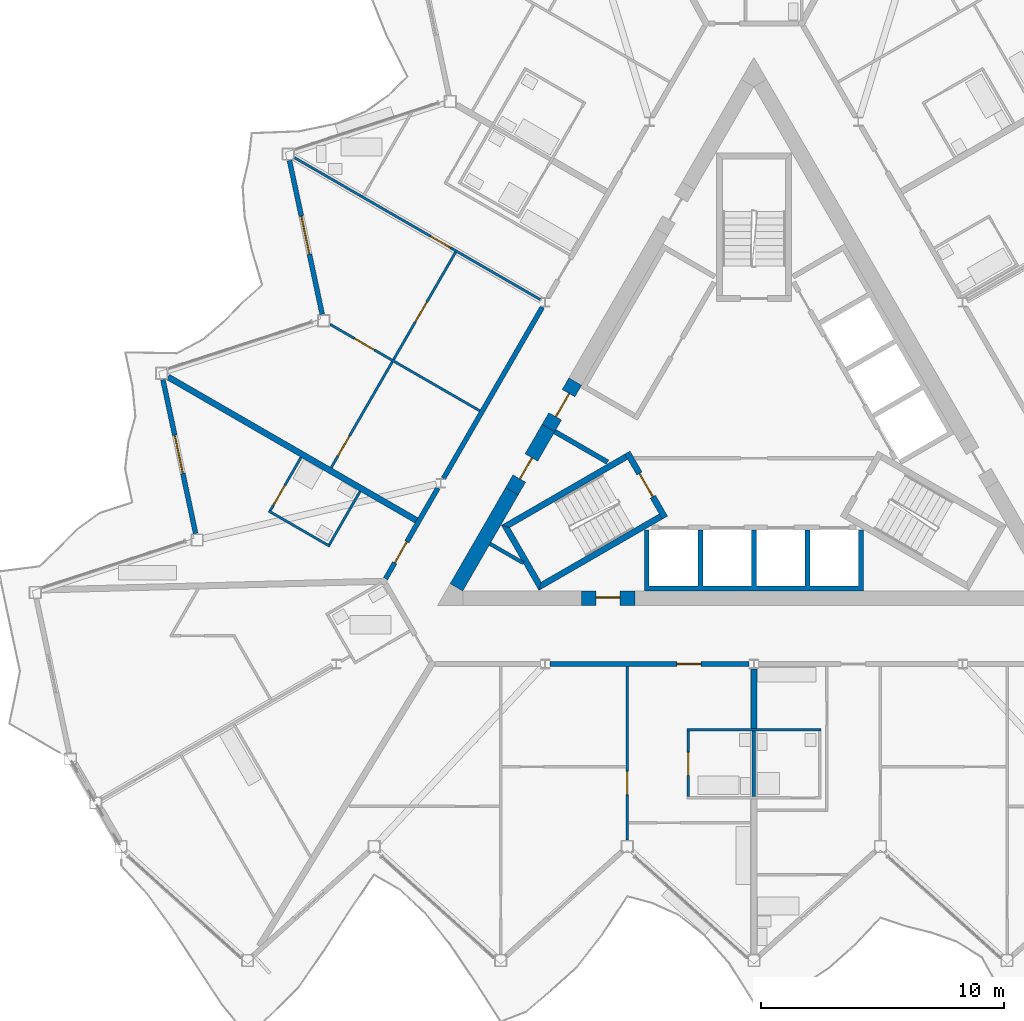
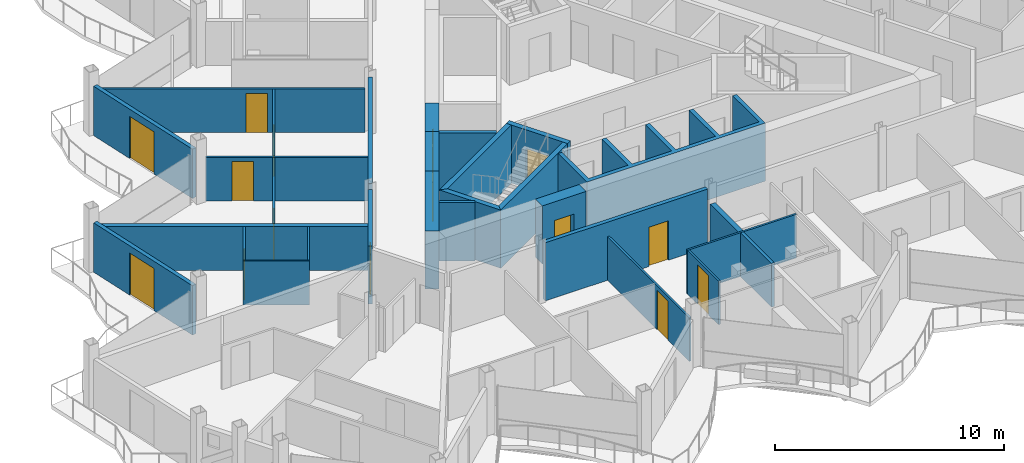
# One storey, part 13 of 26: 28 walls, 15 doors, 15 openings.
"""IFC4 building model written with IfcOpenShell, lengths in metres."""

from ifc_helpers import new_model, si_unit, direction, frame, frame_2d, origin, place, context, subcontext, project, spatial, polyline, rectangle, outline, extrude, material, layer, layer_set, type_object, element, fill, save


model = new_model("IFC4")

# Units and contexts
model_context = context("Model", 3, precision=1e-05, world=origin(), true_north=direction((0.0, 1.0)))
body_context = subcontext(model_context, "Body", "Model", "MODEL_VIEW")
ifc_project = project(units=[si_unit("LENGTHUNIT", "METRE"), si_unit("AREAUNIT", "SQUARE_METRE"), si_unit("VOLUMEUNIT", "CUBIC_METRE"), si_unit("PLANEANGLEUNIT", "RADIAN"), si_unit("MASSUNIT", "GRAM", prefix="KILO")], contexts=[model_context])

# Site, building, storey
site_placement = place(None, origin())
site = spatial("IfcSite", under=ifc_project, at=site_placement, CompositionType="ELEMENT")
building_placement = place(site_placement, origin())
building = spatial("IfcBuilding", under=site, at=building_placement, Name="Cormorant Prow Tower", CompositionType="ELEMENT")
storey_placement = place(building_placement, frame((0.0, 0.0, 401.800048828125)))
storey = spatial("IfcBuildingStorey", under=building, at=storey_placement, Name="L92", CompositionType="ELEMENT", Elevation=401.800048828125)

# Walls
ifc_material_1 = material(Name="Gypsum board partition")
ifc_layer_1 = layer(ifc_material_1, 0.14990234375)
ifc_layer_set_1 = layer_set([ifc_layer_1], Name="Gypsum board partition")
wall_type_1 = type_object("IfcWallType", Name="Core partition 150", PredefinedType="PARTITIONING", material=ifc_layer_set_1)
wall_1_placement = place(storey_placement, frame((-10.841796875, -4.96728515625, 0.0), z_axis=(0.0, 0.0, 1.0), x_axis=(0.866098216386, -0.499873863663, 0.0)))
element("IfcWall", 1, at=wall_1_placement, inside=storey, type_object=wall_type_1, Name="Service room partition", PredefinedType="PARTITIONING", context=body_context, shape_type="SweptSolid", body=[
    extrude(rectangle(XDim=1.58203125, YDim=0.14990234375, at=frame_2d((0.791015625, 0.0))), origin(), (0.0, 0.0, 1.0), 3.099853515625),
])
ifc_material_2 = material(Name="Concrete 8000 psi", Category="concrete")
ifc_layer_2 = layer(ifc_material_2, 0.60009765625)
ifc_layer_set_2 = layer_set([ifc_layer_2], Name="Concrete 8000 psi")
wall_type_2 = type_object("IfcWallType", Name="Core shear wall 600", PredefinedType="SHEAR", material=ifc_layer_set_2)
wall_2_placement = place(storey_placement, frame((-9.94091796875, -2.80712890625, 0.0), z_axis=(0.0, 0.0, 1.0), x_axis=(-0.500020646047, -0.866013483456, 0.0)))
element("IfcWall", 2, at=wall_2_placement, inside=storey, type_object=wall_type_2, Name="Core wall", PredefinedType="SHEAR", context=body_context, shape_type="SweptSolid", body=[
    extrude(rectangle(XDim=4.559326171875, YDim=0.60009765625, at=frame_2d((2.27978515625, 0.0))), origin(), (0.0, 0.0, 1.0), 3.099853515625),
])

# Wall, opening, door
wall_3_placement = place(storey_placement, frame((-7.09228515625, -7.20556640625, 0.0), z_axis=(0.0, 0.0, 1.0), x_axis=(1.0, 0.0, 0.0)))
wall_3 = element("IfcWall", 3, at=wall_3_placement, inside=storey, type_object=wall_type_2, Name="Core wall door panel", PredefinedType="SHEAR", context=body_context, shape_type="SweptSolid", body=[
    extrude(rectangle(XDim=2.2001953125, YDim=0.60009765625, at=frame_2d((1.10009765625, 0.0))), origin(), (0.0, 0.0, 1.0), 3.099853515625),
])
opening_1_placement = place(wall_3_placement, frame((0.60009765625, 0.0, 0.0)))
opening_1 = element("IfcOpeningElement", 4, at=opening_1_placement, cuts=wall_3, Name="Opening L92-C14", PredefinedType="OPENING", context=body_context, shape_type="SweptSolid", body=[
    extrude(rectangle(XDim=1.0, YDim=2.10009765625, at=frame_2d((0.5, 1.050048828125))), frame((0.0, 0.31005859375, 0.0), z_axis=(0.0, -1.0, 0.0), x_axis=(1.0, 0.0, 0.0)), (0.0, 0.0, 1.0), 0.6201171875),
])
ifc_material_3 = material(Name="Painted steel", Category="steel")
door_type_1 = type_object("IfcDoorType", Name="Service door 1000x2100", OperationType="NOTDEFINED", PredefinedType="DOOR", material=ifc_material_3)
door_1_placement = place(opening_1_placement, origin())
door_1 = element("IfcDoor", 5, at=door_1_placement, inside=storey, type_object=door_type_1, Name="Core door, Housekeeping store", OperationType="SINGLE_SWING_LEFT", OverallHeight=2.10009765625, OverallWidth=1.0, PredefinedType="DOOR", context=body_context, shape_type="SweptSolid", body=[
    extrude(rectangle(XDim=1.0, YDim=2.10009765625, at=frame_2d((0.5, 1.050048828125))), frame((0.0, 0.05517578125, 0.0), z_axis=(0.0, -1.0, 0.0), x_axis=(1.0, 0.0, 0.0)), (0.0, 0.0, 1.0), 0.050048828125),
])
fill(opening_1, door_1)

wall_4_placement = place(storey_placement, frame((-8.440185546875, -0.207763671875, 0.0), z_axis=(0.0, 0.0, 1.0), x_axis=(-0.499997052475, -0.866027105532, 0.0)))
wall_4 = element("IfcWall", 6, at=wall_4_placement, inside=storey, type_object=wall_type_2, Name="Core wall door panel", PredefinedType="SHEAR", context=body_context, shape_type="SweptSolid", body=[
    extrude(rectangle(XDim=3.00146484375, YDim=0.60009765625, at=frame_2d((1.500732421875, 0.0))), origin(), (0.0, 0.0, 1.0), 3.099853515625),
])
opening_2_placement = place(wall_4_placement, frame((1.39990234375, 0.0, 0.0)))
opening_2 = element("IfcOpeningElement", 7, at=opening_2_placement, cuts=wall_4, Name="Opening L92-C16", PredefinedType="OPENING", context=body_context, shape_type="SweptSolid", body=[
    extrude(rectangle(XDim=1.0, YDim=2.10009765625, at=frame_2d((0.5, 1.050048828125))), frame((0.0, 0.31005859375, 0.0), z_axis=(0.0, -1.0, 0.0), x_axis=(1.0, 0.0, 0.0)), (0.0, 0.0, 1.0), 0.6201171875),
])
door_2_placement = place(opening_2_placement, origin())
door_2 = element("IfcDoor", 8, at=door_2_placement, inside=storey, type_object=door_type_1, Name="Core door, Linen store", OperationType="SINGLE_SWING_RIGHT", OverallHeight=2.10009765625, OverallWidth=1.0, PredefinedType="DOOR", context=body_context, shape_type="SweptSolid", body=[
    extrude(rectangle(XDim=1.0, YDim=2.10009765625, at=frame_2d((0.5, 1.050048828125))), frame((0.0, 0.05517578125, 0.0), z_axis=(0.0, -1.0, 0.0), x_axis=(1.0, 0.0, 0.0)), (0.0, 0.0, 1.0), 0.050048828125),
])
fill(opening_2, door_2)

wall_5_placement = place(storey_placement, frame((-7.340087890625, 1.697509765625, 0.0), z_axis=(0.0, 0.0, 1.0), x_axis=(-0.50002983664, -0.866008176907, 0.0)))
wall_5 = element("IfcWall", 9, at=wall_5_placement, inside=storey, type_object=wall_type_2, Name="Core wall door panel", PredefinedType="SHEAR", context=body_context, shape_type="SweptSolid", body=[
    extrude(rectangle(XDim=2.199951171875, YDim=0.60009765625, at=frame_2d((1.10009765625, 0.0))), origin(), (0.0, 0.0, 1.0), 3.099853515625),
])
opening_3_placement = place(wall_5_placement, frame((0.550048828125, 0.0, 0.0)))
opening_3 = element("IfcOpeningElement", 10, at=opening_3_placement, cuts=wall_5, Name="Opening L92-C18", PredefinedType="OPENING", context=body_context, shape_type="SweptSolid", body=[
    extrude(rectangle(XDim=1.10009765625, YDim=2.10009765625, at=frame_2d((0.550048828125, 1.050048828125))), frame((0.0, 0.31005859375, 0.0), z_axis=(0.0, -1.0, 0.0), x_axis=(1.0, 0.0, 0.0)), (0.0, 0.0, 1.0), 0.6201171875),
])
ifc_material_4 = material(Name="Painted steel", Category="steel")
door_type_2 = type_object("IfcDoorType", Name="Core door 1100x2100", OperationType="NOTDEFINED", PredefinedType="DOOR", material=ifc_material_4)
door_3_placement = place(opening_3_placement, origin())
door_3 = element("IfcDoor", 11, at=door_3_placement, inside=storey, type_object=door_type_2, Name="Core door, lift lobby", OperationType="SINGLE_SWING_RIGHT", OverallHeight=2.10009765625, OverallWidth=1.10009765625, PredefinedType="DOOR", context=body_context, shape_type="SweptSolid", body=[
    extrude(rectangle(XDim=1.10009765625, YDim=2.10009765625, at=frame_2d((0.550048828125, 1.050048828125))), frame((0.0, 0.05517578125, 0.0), z_axis=(0.0, -1.0, 0.0), x_axis=(1.0, 0.0, 0.0)), (0.0, 0.0, 1.0), 0.050048828125),
])
fill(opening_3, door_3)

ifc_material_5 = material(Name="Gypsum board corridor wall")
ifc_layer_3 = layer(ifc_material_5, 0.199951171875)
ifc_layer_set_3 = layer_set([ifc_layer_3], Name="Gypsum board corridor wall")
wall_type_3 = type_object("IfcWallType", Name="Corridor wall 200", PredefinedType="PARTITIONING", material=ifc_layer_set_3)
wall_6_placement = place(storey_placement, frame((-8.381591796875, -9.905517578125, 0.0), z_axis=(0.0, 0.0, 1.0), x_axis=(1.0, 0.0, 0.0)))
wall_6 = element("IfcWall", 12, at=wall_6_placement, inside=storey, type_object=wall_type_3, Name="Corridor wall", PredefinedType="PARTITIONING", context=body_context, shape_type="SweptSolid", body=[
    extrude(rectangle(XDim=8.1845703125, YDim=0.199951171875, at=frame_2d((4.09228515625, 0.0))), origin(), (0.0, 0.0, 1.0), 3.099853515625),
])
opening_4_placement = place(wall_6_placement, frame((5.212646484375, 0.0, 0.0)))
opening_4 = element("IfcOpeningElement", 13, at=opening_4_placement, cuts=wall_6, Name="Opening L92-F01", PredefinedType="OPENING", context=body_context, shape_type="SweptSolid", body=[
    extrude(rectangle(XDim=1.0, YDim=2.10009765625, at=frame_2d((0.5, 1.050048828125))), frame((0.0, 0.10986328125, 0.0), z_axis=(0.0, -1.0, 0.0), x_axis=(1.0, 0.0, 0.0)), (0.0, 0.0, 1.0), 0.219970703125),
])
ifc_material_6 = material(Name="Timber door leaf", Category="wood")
door_type_3 = type_object("IfcDoorType", Name="Flat or room entrance door 1000x2100", OperationType="NOTDEFINED", PredefinedType="DOOR", material=ifc_material_6)
door_4_placement = place(opening_4_placement, origin())
door_4 = element("IfcDoor", 14, at=door_4_placement, inside=storey, type_object=door_type_3, Name="Living room door", OperationType="SINGLE_SWING_RIGHT", OverallHeight=2.10009765625, OverallWidth=1.0, PredefinedType="DOOR", context=body_context, shape_type="SweptSolid", body=[
    extrude(rectangle(XDim=1.0, YDim=2.10009765625, at=frame_2d((0.5, 1.050048828125))), frame((0.0, 0.02490234375, 0.0), z_axis=(0.0, -1.0, 0.0), x_axis=(1.0, 0.0, 0.0)), (0.0, 0.0, 1.0), 0.050048828125),
])
fill(opening_4, door_4)

# Wall
wall_7_placement = place(storey_placement, frame((-12.75390625, -2.279296875, 0.0), z_axis=(0.0, 0.0, 1.0), x_axis=(0.500001682468, 0.866024432409, 0.0)))
element("IfcWall", 15, at=wall_7_placement, inside=storey, type_object=wall_type_3, Name="Corridor wall", PredefinedType="PARTITIONING", context=body_context, shape_type="SweptSolid", body=[
    extrude(rectangle(XDim=8.12353515625, YDim=0.199951171875, at=frame_2d((4.061767578125, 0.0))), origin(), (0.0, 0.0, 1.0), 3.099853515625),
])

# Wall, opening, door
wall_8_placement = place(storey_placement, frame((-15.13134765625, -6.397216796875, 0.0), z_axis=(0.0, 0.0, 1.0), x_axis=(0.499986217557, 0.866033360935, 0.0)))
wall_8 = element("IfcWall", 16, at=wall_8_placement, inside=storey, type_object=wall_type_3, Name="Corridor wall", PredefinedType="PARTITIONING", context=body_context, shape_type="SweptSolid", body=[
    extrude(rectangle(XDim=4.2998046875, YDim=0.199951171875, at=frame_2d((2.14990234375, 0.0))), origin(), (0.0, 0.0, 1.0), 3.099853515625),
])
opening_5_placement = place(wall_8_placement, frame((0.75, 0.0, 0.0)))
opening_5 = element("IfcOpeningElement", 17, at=opening_5_placement, cuts=wall_8, Name="Opening L92-F52", PredefinedType="OPENING", context=body_context, shape_type="SweptSolid", body=[
    extrude(rectangle(XDim=1.0, YDim=2.10009765625, at=frame_2d((0.5, 1.050048828125))), frame((0.0, 0.10986328125, 0.0), z_axis=(0.0, -1.0, 0.0), x_axis=(1.0, 0.0, 0.0)), (0.0, 0.0, 1.0), 0.219970703125),
])
door_5_placement = place(opening_5_placement, origin())
door_5 = element("IfcDoor", 18, at=door_5_placement, inside=storey, type_object=door_type_3, Name="Studio living, kitchen and sleeping room door", OperationType="SINGLE_SWING_RIGHT", OverallHeight=2.10009765625, OverallWidth=1.0, PredefinedType="DOOR", context=body_context, shape_type="SweptSolid", body=[
    extrude(rectangle(XDim=1.0, YDim=2.10009765625, at=frame_2d((0.5, 1.050048828125))), frame((0.0, 0.02490234375, 0.0), z_axis=(0.0, -1.0, 0.0), x_axis=(1.0, 0.0, 0.0)), (0.0, 0.0, 1.0), 0.050048828125),
])
fill(opening_5, door_5)

ifc_material_7 = material(Name="Gypsum board partition")
ifc_layer_4 = layer(ifc_material_7, 0.10009765625)
ifc_layer_set_4 = layer_set([ifc_layer_4], Name="Gypsum board partition")
wall_type_4 = type_object("IfcWallType", Name="Internal partition 100", PredefinedType="PARTITIONING", material=ifc_layer_set_4)
wall_9_placement = place(storey_placement, frame((-18.86865234375, 10.893798828125, 0.0), z_axis=(0.0, 0.0, 1.0), x_axis=(0.866023724155, -0.500002909193, 0.0)))
wall_9 = element("IfcWall", 19, at=wall_9_placement, inside=storey, type_object=wall_type_4, Name="Internal partition", PredefinedType="PARTITIONING", context=body_context, shape_type="SweptSolid", body=[
    extrude(rectangle(XDim=11.65478515625, YDim=0.10009765625, at=frame_2d((5.827392578125, 0.0))), origin(), (0.0, 0.0, 1.0), 2.330078125),
])
opening_6_placement = place(wall_9_placement, frame((6.452880859375, 0.0, 0.0)))
opening_6 = element("IfcOpeningElement", 20, at=opening_6_placement, cuts=wall_9, Name="Opening L92-F47", PredefinedType="OPENING", context=body_context, shape_type="SweptSolid", body=[
    extrude(rectangle(XDim=0.949951171875, YDim=2.10009765625, at=frame_2d((0.47509765625, 1.050048828125))), frame((0.0, 0.06005859375, 0.0), z_axis=(0.0, -1.0, 0.0), x_axis=(1.0, 0.0, 0.0)), (0.0, 0.0, 1.0), 0.1201171875),
])
ifc_material_8 = material(Name="Timber door leaf", Category="wood")
door_type_4 = type_object("IfcDoorType", Name="Bathroom door 950x2100", OperationType="NOTDEFINED", PredefinedType="DOOR", material=ifc_material_8)
door_6_placement = place(opening_6_placement, origin())
door_6 = element("IfcDoor", 21, at=door_6_placement, inside=storey, type_object=door_type_4, Name="Living room door", OperationType="SINGLE_SWING_RIGHT", OverallHeight=2.10009765625, OverallWidth=0.949951171875, PredefinedType="DOOR", context=body_context, shape_type="SweptSolid", body=[
    extrude(rectangle(XDim=0.949951171875, YDim=2.10009765625, at=frame_2d((0.47509765625, 1.050048828125))), frame((0.0, 0.02490234375, 0.0), z_axis=(0.0, -1.0, 0.0), x_axis=(1.0, 0.0, 0.0)), (0.0, 0.0, 1.0), 0.050048828125),
])
fill(opening_6, door_6)

# Wall, openings, doors
wall_10_placement = place(storey_placement, frame((-17.366455078125, -1.838134765625, 0.0), z_axis=(0.0, 0.0, 1.0), x_axis=(0.499998717582, 0.866026144187, 0.0)))
wall_10 = element("IfcWall", 22, at=wall_10_placement, inside=storey, type_object=wall_type_4, Name="Internal partition", PredefinedType="PARTITIONING", context=body_context, shape_type="SweptSolid", body=[
    extrude(rectangle(XDim=10.22509765625, YDim=0.10009765625, at=frame_2d((5.112548828125, 0.0))), origin(), (0.0, 0.0, 1.0), 2.330078125),
])
opening_7_placement = place(wall_10_placement, frame((6.906982421875, 0.0, 0.0)))
opening_7 = element("IfcOpeningElement", 23, at=opening_7_placement, cuts=wall_10, Name="Opening L92-F48", PredefinedType="OPENING", context=body_context, shape_type="SweptSolid", body=[
    extrude(rectangle(XDim=0.949951171875, YDim=2.10009765625, at=frame_2d((0.47509765625, 1.050048828125))), frame((0.0, 0.06005859375, 0.0), z_axis=(0.0, -1.0, 0.0), x_axis=(1.0, 0.0, 0.0)), (0.0, 0.0, 1.0), 0.1201171875),
])
opening_8_placement = place(wall_10_placement, frame((0.552490234375, 0.0, 0.0)))
opening_8 = element("IfcOpeningElement", 24, at=opening_8_placement, cuts=wall_10, Name="Opening L92-F50", PredefinedType="OPENING", context=body_context, shape_type="SweptSolid", body=[
    extrude(rectangle(XDim=0.949951171875, YDim=2.10009765625, at=frame_2d((0.47509765625, 1.050048828125))), frame((0.0, 0.06005859375, 0.0), z_axis=(0.0, -1.0, 0.0), x_axis=(1.0, 0.0, 0.0)), (0.0, 0.0, 1.0), 0.1201171875),
])
door_7_placement = place(opening_7_placement, origin())
door_7 = element("IfcDoor", 25, at=door_7_placement, inside=storey, type_object=door_type_4, Name="Bedroom door", OperationType="SINGLE_SWING_LEFT", OverallHeight=2.10009765625, OverallWidth=0.949951171875, PredefinedType="DOOR", context=body_context, shape_type="SweptSolid", body=[
    extrude(rectangle(XDim=0.949951171875, YDim=2.10009765625, at=frame_2d((0.47509765625, 1.050048828125))), frame((0.0, 0.02490234375, 0.0), z_axis=(0.0, -1.0, 0.0), x_axis=(1.0, 0.0, 0.0)), (0.0, 0.0, 1.0), 0.050048828125),
])
fill(opening_7, door_7)
door_8_placement = place(opening_8_placement, origin())
door_8 = element("IfcDoor", 26, at=door_8_placement, inside=storey, type_object=door_type_4, Name="Bedroom door", OperationType="SINGLE_SWING_LEFT", OverallHeight=2.10009765625, OverallWidth=0.949951171875, PredefinedType="DOOR", context=body_context, shape_type="SweptSolid", body=[
    extrude(rectangle(XDim=0.949951171875, YDim=2.10009765625, at=frame_2d((0.47509765625, 1.050048828125))), frame((0.0, 0.02490234375, 0.0), z_axis=(0.0, -1.0, 0.0), x_axis=(1.0, 0.0, 0.0)), (0.0, 0.0, 1.0), 0.050048828125),
])
fill(opening_8, door_8)

# Wall, opening, door
wall_11_placement = place(storey_placement, frame((-5.199951171875, -17.145751953125, 0.0), z_axis=(0.0, 0.0, 1.0), x_axis=(0.0, 1.0, 0.0)))
wall_11 = element("IfcWall", 27, at=wall_11_placement, inside=storey, type_object=wall_type_4, Name="Internal partition", PredefinedType="PARTITIONING", context=body_context, shape_type="SweptSolid", body=[
    extrude(rectangle(XDim=7.14013671875, YDim=0.10009765625, at=frame_2d((3.570068359375, 0.0))), origin(), (0.0, 0.0, 1.0), 2.330078125),
])
opening_9_placement = place(wall_11_placement, frame((1.875732421875, 0.0, 0.0)))
opening_9 = element("IfcOpeningElement", 28, at=opening_9_placement, cuts=wall_11, Name="Opening L92-F04", PredefinedType="OPENING", context=body_context, shape_type="SweptSolid", body=[
    extrude(rectangle(XDim=0.949951171875, YDim=2.10009765625, at=frame_2d((0.47509765625, 1.050048828125))), frame((0.0, 0.06005859375, 0.0), z_axis=(0.0, -1.0, 0.0), x_axis=(1.0, 0.0, 0.0)), (0.0, 0.0, 1.0), 0.1201171875),
])
door_9_placement = place(opening_9_placement, origin())
door_9 = element("IfcDoor", 29, at=door_9_placement, inside=storey, type_object=door_type_4, Name="Living room door", OperationType="SINGLE_SWING_RIGHT", OverallHeight=2.10009765625, OverallWidth=0.949951171875, PredefinedType="DOOR", context=body_context, shape_type="SweptSolid", body=[
    extrude(rectangle(XDim=0.949951171875, YDim=2.10009765625, at=frame_2d((0.47509765625, 1.050048828125))), frame((0.0, 0.02490234375, 0.0), z_axis=(0.0, -1.0, 0.0), x_axis=(1.0, 0.0, 0.0)), (0.0, 0.0, 1.0), 0.050048828125),
])
fill(opening_9, door_9)

wall_12_placement = place(storey_placement, frame((-17.413818359375, 4.04931640625, 0.0), z_axis=(0.0, 0.0, 1.0), x_axis=(0.866033839264, -0.499985389037, 0.0)))
wall_12 = element("IfcWall", 30, at=wall_12_placement, inside=storey, type_object=wall_type_4, Name="Internal partition", PredefinedType="PARTITIONING", context=body_context, shape_type="SweptSolid", body=[
    extrude(rectangle(XDim=7.099853515625, YDim=0.10009765625, at=frame_2d((3.5498046875, 0.0))), origin(), (0.0, 0.0, 1.0), 2.330078125),
])
opening_10_placement = place(wall_12_placement, frame((1.157958984375, 0.0, 0.0)))
opening_10 = element("IfcOpeningElement", 31, at=opening_10_placement, cuts=wall_12, Name="Opening L92-F49", PredefinedType="OPENING", context=body_context, shape_type="SweptSolid", body=[
    extrude(rectangle(XDim=0.949951171875, YDim=2.10009765625, at=frame_2d((0.47509765625, 1.050048828125))), frame((0.0, 0.06005859375, 0.0), z_axis=(0.0, -1.0, 0.0), x_axis=(1.0, 0.0, 0.0)), (0.0, 0.0, 1.0), 0.1201171875),
])
door_10_placement = place(opening_10_placement, origin())
door_10 = element("IfcDoor", 32, at=door_10_placement, inside=storey, type_object=door_type_4, Name="Bedroom door", OperationType="SINGLE_SWING_RIGHT", OverallHeight=2.10009765625, OverallWidth=0.949951171875, PredefinedType="DOOR", context=body_context, shape_type="SweptSolid", body=[
    extrude(rectangle(XDim=0.949951171875, YDim=2.10009765625, at=frame_2d((0.47509765625, 1.050048828125))), frame((0.0, 0.02490234375, 0.0), z_axis=(0.0, -1.0, 0.0), x_axis=(1.0, 0.0, 0.0)), (0.0, 0.0, 1.0), 0.050048828125),
])
fill(opening_10, door_10)

# Walls
wall_13_placement = place(storey_placement, frame((-2.75, -12.605712890625, 0.0), z_axis=(0.0, 0.0, 1.0), x_axis=(1.0, 0.0, 0.0)))
element("IfcWall", 33, at=wall_13_placement, inside=storey, type_object=wall_type_4, Name="Internal partition", PredefinedType="PARTITIONING", context=body_context, shape_type="SweptSolid", body=[
    extrude(rectangle(XDim=5.5, YDim=0.10009765625, at=frame_2d((2.75, 0.0))), origin(), (0.0, 0.0, 1.0), 2.330078125),
])
wall_14_placement = place(storey_placement, frame((-19.934814453125, -3.6171875, 0.0), z_axis=(0.0, 0.0, 1.0), x_axis=(0.866032775405, -0.499987231761, 0.0)))
element("IfcWall", 34, at=wall_14_placement, inside=storey, type_object=wall_type_4, Name="Internal partition", PredefinedType="PARTITIONING", context=body_context, shape_type="SweptSolid", body=[
    extrude(rectangle(XDim=2.89990234375, YDim=0.10009765625, at=frame_2d((1.449951171875, 0.0))), origin(), (0.0, 0.0, 1.0), 2.330078125),
])

# Wall, opening, door
wall_15_placement = place(storey_placement, frame((-2.699951171875, -15.355712890625, 0.0), z_axis=(0.0, 0.0, 1.0), x_axis=(0.0, 1.0, 0.0)))
wall_15 = element("IfcWall", 35, at=wall_15_placement, inside=storey, type_object=wall_type_4, Name="Internal partition", PredefinedType="PARTITIONING", context=body_context, shape_type="SweptSolid", body=[
    extrude(rectangle(XDim=2.7001953125, YDim=0.10009765625, at=frame_2d((1.35009765625, 0.0))), origin(), (0.0, 0.0, 1.0), 2.330078125),
])
opening_11_placement = place(wall_15_placement, frame((0.875, 0.0, 0.0)))
opening_11 = element("IfcOpeningElement", 36, at=opening_11_placement, cuts=wall_15, Name="Opening L92-F02", PredefinedType="OPENING", context=body_context, shape_type="SweptSolid", body=[
    extrude(rectangle(XDim=0.949951171875, YDim=2.10009765625, at=frame_2d((0.47509765625, 1.050048828125))), frame((0.0, 0.06005859375, 0.0), z_axis=(0.0, -1.0, 0.0), x_axis=(1.0, 0.0, 0.0)), (0.0, 0.0, 1.0), 0.1201171875),
])
door_11_placement = place(opening_11_placement, origin())
door_11 = element("IfcDoor", 37, at=door_11_placement, inside=storey, type_object=door_type_4, Name="Living room door", OperationType="SINGLE_SWING_RIGHT", OverallHeight=2.10009765625, OverallWidth=0.949951171875, PredefinedType="DOOR", context=body_context, shape_type="SweptSolid", body=[
    extrude(rectangle(XDim=0.949951171875, YDim=2.10009765625, at=frame_2d((0.47509765625, 1.050048828125))), frame((0.0, 0.02490234375, 0.0), z_axis=(0.0, -1.0, 0.0), x_axis=(1.0, 0.0, 0.0)), (0.0, 0.0, 1.0), 0.050048828125),
])
fill(opening_11, door_11)

# Wall
wall_16_placement = place(storey_placement, frame((-17.441650390625, -4.998779296875, 0.0), z_axis=(0.0, 0.0, 1.0), x_axis=(0.499976333282, 0.866039067339, 0.0)))
element("IfcWall", 38, at=wall_16_placement, inside=storey, type_object=wall_type_4, Name="Internal partition", PredefinedType="PARTITIONING", context=body_context, shape_type="SweptSolid", body=[
    extrude(rectangle(XDim=2.52490234375, YDim=0.10009765625, at=frame_2d((1.262451171875, 0.0))), origin(), (0.0, 0.0, 1.0), 2.330078125),
])

# Wall, opening, door
wall_17_placement = place(storey_placement, frame((-19.86669921875, -3.598876953125, 0.0), z_axis=(0.0, 0.0, 1.0), x_axis=(0.500048846702, 0.865997200291, 0.0)))
wall_17 = element("IfcWall", 39, at=wall_17_placement, inside=storey, type_object=wall_type_4, Name="Internal partition", PredefinedType="PARTITIONING", context=body_context, shape_type="SweptSolid", body=[
    extrude(rectangle(XDim=2.525146484375, YDim=0.10009765625, at=frame_2d((1.2626953125, 0.0))), origin(), (0.0, 0.0, 1.0), 2.330078125),
])
opening_12_placement = place(wall_17_placement, frame((0.25, 0.0, 0.0)))
opening_12 = element("IfcOpeningElement", 40, at=opening_12_placement, cuts=wall_17, Name="Opening L92-F53", PredefinedType="OPENING", context=body_context, shape_type="SweptSolid", body=[
    extrude(rectangle(XDim=0.949951171875, YDim=2.10009765625, at=frame_2d((0.47509765625, 1.050048828125))), frame((0.0, 0.06005859375, 0.0), z_axis=(0.0, -1.0, 0.0), x_axis=(1.0, 0.0, 0.0)), (0.0, 0.0, 1.0), 0.1201171875),
])
door_12_placement = place(opening_12_placement, origin())
door_12 = element("IfcDoor", 41, at=door_12_placement, inside=storey, type_object=door_type_4, Name="Studio living, kitchen and sleeping room door", OperationType="SINGLE_SWING_LEFT", OverallHeight=2.10009765625, OverallWidth=0.949951171875, PredefinedType="DOOR", context=body_context, shape_type="SweptSolid", body=[
    extrude(rectangle(XDim=0.949951171875, YDim=2.10009765625, at=frame_2d((0.47509765625, 1.050048828125))), frame((0.0, 0.02490234375, 0.0), z_axis=(0.0, -1.0, 0.0), x_axis=(1.0, 0.0, 0.0)), (0.0, 0.0, 1.0), 0.050048828125),
])
fill(opening_12, door_12)

# Walls
ifc_material_9 = material(Name="Concrete 8000 psi", Category="concrete")
ifc_layer_5 = layer(ifc_material_9, 0.199951171875)
ifc_layer_set_5 = layer_set([ifc_layer_5], Name="Concrete 8000 psi")
wall_type_5 = type_object("IfcWallType", Name="Lift shaft wall 200", PredefinedType="SHEAR", material=ifc_layer_set_5)
wall_18_placement = place(storey_placement, origin())
element("IfcWall", 42, at=wall_18_placement, inside=storey, type_object=wall_type_5, Name="Lift shaft walls, S block", PredefinedType="SHEAR", context=body_context, shape_type="SweptSolid", body=[
    extrude(outline(polyline([(4.5, -4.39990234375), (4.5, -6.906005859375), (-4.5, -6.906005859375), (-4.5, -4.39990234375), (-4.300048828125, -4.39990234375), (-4.300048828125, -6.699951171875), (-2.300048828125, -6.699951171875), (-2.300048828125, -4.39990234375), (-2.10009765625, -4.39990234375), (-2.10009765625, -6.699951171875), (-0.10009765625, -6.699951171875), (-0.10009765625, -4.39990234375), (0.10009765625, -4.39990234375), (0.10009765625, -6.699951171875), (2.10009765625, -6.699951171875), (2.10009765625, -4.39990234375), (2.300048828125, -4.39990234375), (2.300048828125, -6.699951171875), (4.300048828125, -6.699951171875), (4.300048828125, -4.39990234375), (4.5, -4.39990234375)])), origin(), (0.0, 0.0, 1.0), 3.099853515625),
])
wall_19_placement = place(storey_placement, origin())
element("IfcWall", 43, at=wall_19_placement, inside=storey, type_object=wall_type_5, Name="Lift shaft walls, WNW block", PredefinedType="SHEAR", context=body_context, shape_type="SweptSolid", body=[
    extrude(outline(polyline([(-6.060546875, -1.697021484375), (-8.230712890625, -0.444091796875), (-8.130859375, -0.27099609375), (-5.96044921875, -1.52392578125), (-6.060546875, -1.697021484375)])), origin(), (0.0, 0.0, 1.0), 3.099853515625),
])
ifc_material_10 = material(Name="Concrete 8000 psi", Category="concrete")
ifc_layer_6 = layer(ifc_material_10, 0.25)
ifc_layer_set_6 = layer_set([ifc_layer_6], Name="Concrete 8000 psi")
wall_type_6 = type_object("IfcWallType", Name="Stair wall 250", PredefinedType="SHEAR", material=ifc_layer_set_6)
wall_20_placement = place(storey_placement, origin())
element("IfcWall", 44, at=wall_20_placement, inside=storey, type_object=wall_type_6, Name="Stair ST1 enclosure wall (flank)", PredefinedType="SHEAR", context=body_context, shape_type="SweptSolid", body=[
    extrude(outline(polyline([(-5.30712890625, -1.28125), (-10.37353515625, -4.206298828125), (-10.031982421875, -4.2978515625), (-5.18212890625, -1.497802734375), (-5.30712890625, -1.28125)])), origin(), (0.0, 0.0, 1.0), 3.099853515625),
])
wall_21_placement = place(storey_placement, origin())
element("IfcWall", 45, at=wall_21_placement, inside=storey, type_object=wall_type_6, Name="Stair ST1 enclosure wall (end)", PredefinedType="SHEAR", context=body_context, shape_type="SweptSolid", body=[
    extrude(outline(polyline([(-10.37353515625, -4.206298828125), (-8.82958984375, -6.880615234375), (-8.738037109375, -6.5390625), (-10.031982421875, -4.2978515625), (-10.37353515625, -4.206298828125)])), origin(), (0.0, 0.0, 1.0), 3.099853515625),
])
wall_22_placement = place(storey_placement, origin())
element("IfcWall", 46, at=wall_22_placement, inside=storey, type_object=wall_type_6, Name="Stair ST1 enclosure wall (flank)", PredefinedType="SHEAR", context=body_context, shape_type="SweptSolid", body=[
    extrude(outline(polyline([(-8.738037109375, -6.5390625), (-8.82958984375, -6.880615234375), (-3.76318359375, -3.95556640625), (-3.88818359375, -3.739013671875), (-8.738037109375, -6.5390625)])), origin(), (0.0, 0.0, 1.0), 3.099853515625),
])

# Wall, opening, door
wall_23_placement = place(storey_placement, frame((-5.198974609375, -1.21875, 0.0), z_axis=(0.0, 0.0, 1.0), x_axis=(0.499982516597, -0.866035497597, 0.0)))
wall_23 = element("IfcWall", 47, at=wall_23_placement, inside=storey, type_object=wall_type_6, Name="Stair ST1 door wall", PredefinedType="SHEAR", context=body_context, shape_type="SweptSolid", body=[
    extrude(rectangle(XDim=3.087890625, YDim=0.25, at=frame_2d((1.5439453125, 0.0))), origin(), (0.0, 0.0, 1.0), 3.099853515625),
])
opening_13_placement = place(wall_23_placement, frame((0.993896484375, 0.0, 0.0)))
opening_13 = element("IfcOpeningElement", 48, at=opening_13_placement, cuts=wall_23, Name="Opening L92-C11", PredefinedType="OPENING", context=body_context, shape_type="SweptSolid", body=[
    extrude(rectangle(XDim=1.10009765625, YDim=2.10009765625, at=frame_2d((0.550048828125, 1.050048828125))), frame((0.0, 0.135009765625, 0.0), z_axis=(0.0, -1.0, 0.0), x_axis=(1.0, 0.0, 0.0)), (0.0, 0.0, 1.0), 0.27001953125),
])
ifc_material_11 = material(Name="Painted steel", Category="steel")
door_type_5 = type_object("IfcDoorType", Name="Stair door 1100x2100", OperationType="NOTDEFINED", PredefinedType="DOOR", material=ifc_material_11)
door_13_placement = place(opening_13_placement, origin())
door_13 = element("IfcDoor", 49, at=door_13_placement, inside=storey, type_object=door_type_5, Name="Stair ST1 door", OperationType="SINGLE_SWING_LEFT", OverallHeight=2.10009765625, OverallWidth=1.10009765625, PredefinedType="DOOR", context=body_context, shape_type="SweptSolid", body=[
    extrude(rectangle(XDim=1.10009765625, YDim=2.10009765625, at=frame_2d((0.550048828125, 1.050048828125))), frame((0.0, 0.02490234375, 0.0), z_axis=(0.0, -1.0, 0.0), x_axis=(1.0, 0.0, 0.0)), (0.0, 0.0, 1.0), 0.050048828125),
])
fill(opening_13, door_13)

# Walls
ifc_material_12 = material(Name="Acoustic gypsum party wall")
ifc_layer_7 = layer(ifc_material_12, 0.25)
ifc_layer_set_7 = layer_set([ifc_layer_7], Name="Acoustic gypsum party wall")
wall_type_7 = type_object("IfcWallType", Name="Suite party wall 250", PredefinedType="PARTITIONING", material=ifc_layer_set_7)
wall_24_placement = place(storey_placement, frame((-24.068603515625, 1.88720703125, 0.0), z_axis=(0.0, 0.0, 1.0), x_axis=(0.866023404247, -0.500003463284, 0.0)))
element("IfcWall", 50, at=wall_24_placement, inside=storey, type_object=wall_type_7, Name="Suite party wall", PredefinedType="PARTITIONING", context=body_context, shape_type="SweptSolid", body=[
    extrude(rectangle(XDim=11.7822265625, YDim=0.25, at=frame_2d((5.89111328125, 0.0))), origin(), (0.0, 0.0, 1.0), 2.330078125),
])
wall_25_placement = place(storey_placement, frame((0.0, -12.5556640625, 0.0), z_axis=(0.0, 0.0, 1.0), x_axis=(0.0, 1.0, 0.0)))
element("IfcWall", 51, at=wall_25_placement, inside=storey, type_object=wall_type_7, Name="Suite party wall", PredefinedType="PARTITIONING", context=body_context, shape_type="SweptSolid", body=[
    extrude(rectangle(XDim=2.453125, YDim=0.25, at=frame_2d((1.2265625, 0.0))), origin(), (0.0, 0.0, 1.0), 2.330078125),
])

# Wall, opening, door
ifc_material_13 = material(Name="Terracotta", Category="masonry")
ifc_layer_8 = layer(ifc_material_13, 0.199951171875)
ifc_layer_set_8 = layer_set([ifc_layer_8], Name="Terracotta")
wall_type_8 = type_object("IfcWallType", Name="Terracotta jamb wall 200", PredefinedType="SOLIDWALL", material=ifc_layer_set_8)
wall_26_placement = place(storey_placement, frame((-19.07861328125, 10.7783203125, 0.0), z_axis=(0.0, 0.0, 1.0), x_axis=(0.207888166349, -0.978152600718, 0.0)))
wall_26 = element("IfcWall", 52, at=wall_26_placement, inside=storey, type_object=wall_type_8, Name="Terracotta jamb wall WNW05", PredefinedType="SOLIDWALL", context=body_context, shape_type="SweptSolid", body=[
    extrude(rectangle(XDim=6.453125, YDim=0.199951171875, at=frame_2d((3.2265625, 0.0))), origin(), (0.0, 0.0, 1.0), 2.6337890625),
])
opening_14_placement = place(wall_26_placement, frame((2.332763671875, 0.0, 0.0)))
opening_14 = element("IfcOpeningElement", 53, at=opening_14_placement, cuts=wall_26, Name="Opening ED92.13", PredefinedType="OPENING", context=body_context, shape_type="SweptSolid", body=[
    extrude(rectangle(XDim=1.60009765625, YDim=2.25, at=frame_2d((0.800048828125, 1.125))), frame((0.0, 0.10986328125, 0.0), z_axis=(0.0, -1.0, 0.0), x_axis=(1.0, 0.0, 0.0)), (0.0, 0.0, 1.0), 0.219970703125),
])
ifc_material_14 = material(Name="Aluminium 6063-T6", Category="aluminium")
door_type_6 = type_object("IfcDoorType", Name="Balcony door 1600x2250", OperationType="DOUBLE_DOOR_SINGLE_SWING", PredefinedType="DOOR", material=ifc_material_14)
door_14_placement = place(opening_14_placement, origin())
door_14 = element("IfcDoor", 54, at=door_14_placement, inside=storey, type_object=door_type_6, Name="Balcony door WNW05 ED92.13", OperationType="DOUBLE_DOOR_SINGLE_SWING", OverallHeight=2.25, OverallWidth=1.60009765625, PredefinedType="DOOR", context=body_context, shape_type="SweptSolid", body=[
    extrude(rectangle(XDim=1.60009765625, YDim=2.25, at=frame_2d((0.800048828125, 1.125))), frame((0.0, 0.02490234375, 0.0), z_axis=(0.0, -1.0, 0.0), x_axis=(1.0, 0.0, 0.0)), (0.0, 0.0, 1.0), 0.050048828125),
])
fill(opening_14, door_14)

wall_27_placement = place(storey_placement, frame((-24.27880859375, 1.771728515625, 0.0), z_axis=(0.0, 0.0, 1.0), x_axis=(0.207924363149, -0.978144907061, 0.0)))
wall_27 = element("IfcWall", 55, at=wall_27_placement, inside=storey, type_object=wall_type_8, Name="Terracotta jamb wall WNW07", PredefinedType="SOLIDWALL", context=body_context, shape_type="SweptSolid", body=[
    extrude(rectangle(XDim=6.453369140625, YDim=0.199951171875, at=frame_2d((3.2265625, 0.0))), origin(), (0.0, 0.0, 1.0), 2.6337890625),
])
opening_15_placement = place(wall_27_placement, frame((2.332763671875, 0.0, 0.0)))
opening_15 = element("IfcOpeningElement", 56, at=opening_15_placement, cuts=wall_27, Name="Opening ED92.14", PredefinedType="OPENING", context=body_context, shape_type="SweptSolid", body=[
    extrude(rectangle(XDim=1.60009765625, YDim=2.25, at=frame_2d((0.800048828125, 1.125))), frame((0.0, 0.10986328125, 0.0), z_axis=(0.0, -1.0, 0.0), x_axis=(1.0, 0.0, 0.0)), (0.0, 0.0, 1.0), 0.219970703125),
])
door_15_placement = place(opening_15_placement, origin())
door_15 = element("IfcDoor", 57, at=door_15_placement, inside=storey, type_object=door_type_6, Name="Balcony door WNW07 ED92.14", OperationType="DOUBLE_DOOR_SINGLE_SWING", OverallHeight=2.25, OverallWidth=1.60009765625, PredefinedType="DOOR", context=body_context, shape_type="SweptSolid", body=[
    extrude(rectangle(XDim=1.60009765625, YDim=2.25, at=frame_2d((0.800048828125, 1.125))), frame((0.0, 0.02490234375, 0.0), z_axis=(0.0, -1.0, 0.0), x_axis=(1.0, 0.0, 0.0)), (0.0, 0.0, 1.0), 0.050048828125),
])
fill(opening_15, door_15)

# Wall
ifc_material_15 = material(Name="Plasterboard wet wall with pipe chase")
ifc_layer_9 = layer(ifc_material_15, 0.14990234375)
ifc_layer_set_9 = layer_set([ifc_layer_9], Name="Plasterboard wet wall with pipe chase")
wall_type_9 = type_object("IfcWallType", Name="Wet wall 150", PredefinedType="PLUMBINGWALL", material=ifc_layer_set_9)
wall_28_placement = place(storey_placement, frame((0.0, -15.355712890625, 0.0), z_axis=(0.0, 0.0, 1.0), x_axis=(0.0, 1.0, 0.0)))
element("IfcWall", 58, at=wall_28_placement, inside=storey, type_object=wall_type_9, Name="Wet wall", PredefinedType="PLUMBINGWALL", context=body_context, shape_type="SweptSolid", body=[
    extrude(rectangle(XDim=2.7001953125, YDim=0.14990234375, at=frame_2d((1.35009765625, 0.0))), origin(), (0.0, 0.0, 1.0), 2.330078125),
])

save(model, "model.ifc")
